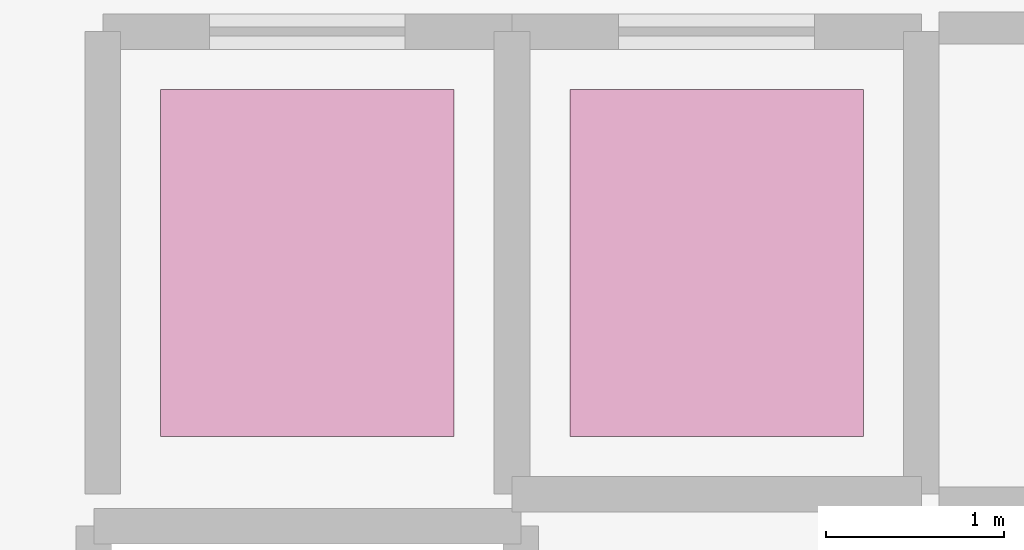
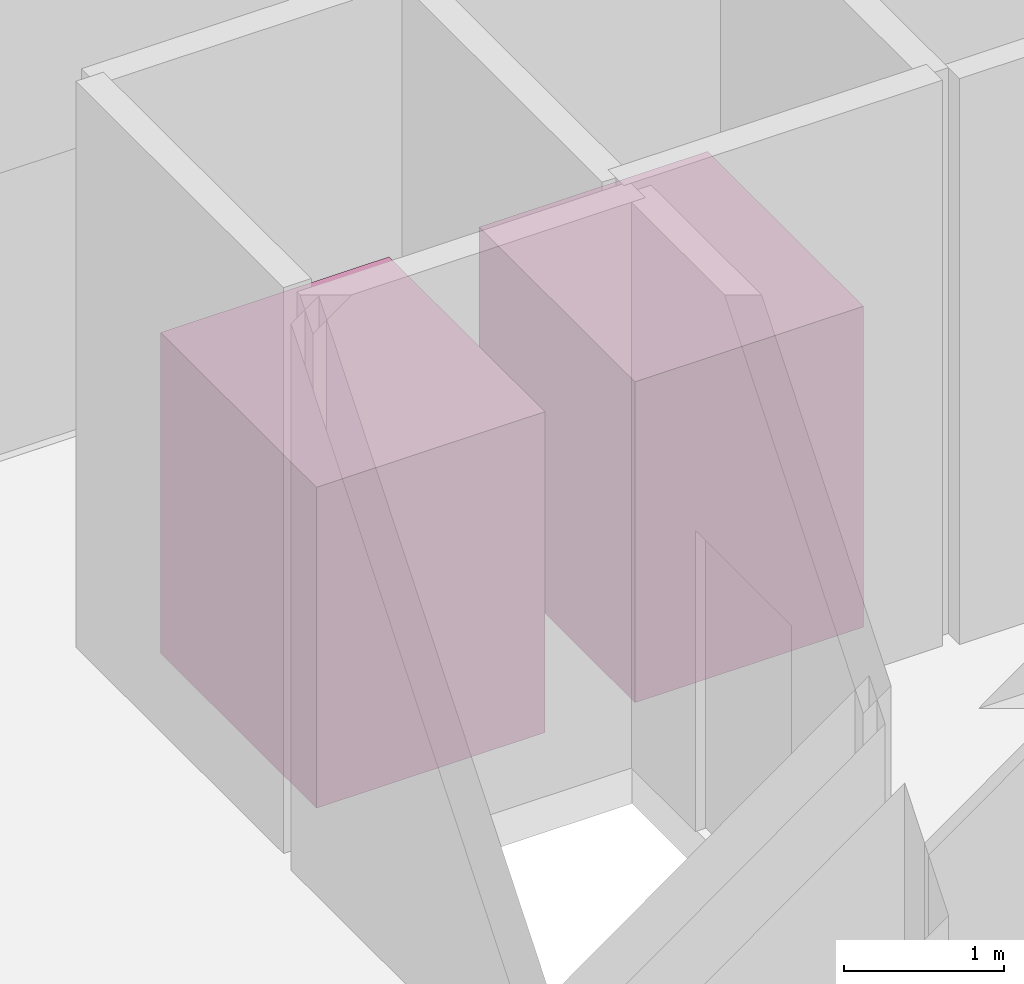
# One storey, part 35 of 35: 2 transport elements.
"""IFC4 building model written with IfcOpenShell, lengths in metres."""

from ifc_helpers import new_model, si_unit, direction, frame, origin, origin_2d, place, context, subcontext, project, spatial, rectangle, extrude, source, transform, mapped, material, type_object, element, save


model = new_model("IFC4")

# Units and contexts
model_context = context("Model", 3, precision=1e-05, world=origin(), true_north=direction((0.0, 1.0)))
body_context = subcontext(model_context, "Body", "Model", "MODEL_VIEW")
ifc_project = project(units=[si_unit("LENGTHUNIT", "METRE"), si_unit("AREAUNIT", "SQUARE_METRE"), si_unit("VOLUMEUNIT", "CUBIC_METRE"), si_unit("PLANEANGLEUNIT", "RADIAN"), si_unit("MASSUNIT", "GRAM", prefix="KILO")], contexts=[model_context])

# Site, building, storey
site_placement = place(None, origin())
site = spatial("IfcSite", under=ifc_project, at=site_placement, CompositionType="ELEMENT")
building_placement = place(site_placement, origin())
building = spatial("IfcBuilding", under=site, at=building_placement, Name="Liaohun Quay Tower", CompositionType="ELEMENT")
storey_placement = place(building_placement, frame((0.0, 0.0, 282.0)))
storey = spatial("IfcBuildingStorey", under=building, at=storey_placement, Name="L73", CompositionType="ELEMENT", Elevation=282.0)

# Transport elements
ifc_material = material(Name="Brushed stainless steel passenger car", Category="steel")
transport_element_type = type_object("IfcTransportElementType", Name="LFT-PAS-1600", PredefinedType="ELEVATOR", material=ifc_material)
shared_shape = source(origin(), body_context, "Body", "SweptSolid", [
    extrude(rectangle(XDim=1.64990234375, YDim=1.949951171875, at=origin_2d()), origin(), (0.0, 0.0, 1.0), 2.449951171875),
])
for number, where, z_axis, x_axis, name in (
    (1, (56.449951171875, 51.60009765625, 0.0), (0.0, 0.0, 1.0), (1.0, 0.0, 0.0), "Passenger Lift PL-4A"),
    (2, (58.75, 51.60009765625, 0.0), (0.0, 0.0, 1.0), (1.0, 0.0, 0.0), "Passenger Lift PL-4B"),
):
    element("IfcTransportElement", number, at=place(storey_placement, frame(where, z_axis=z_axis, x_axis=x_axis)), inside=storey, type_object=transport_element_type, Name=name, PredefinedType="ELEVATOR", context=body_context, shape_type="MappedRepresentation", body=[
        mapped(shared_shape, transform((0.0, 0.0, 0.0), x_axis=(1.0, 0.0, 0.0), y_axis=(0.0, 1.0, 0.0), z_axis=(0.0, 0.0, 1.0), scale=1.0)),
    ])

save(model, "model.ifc")
